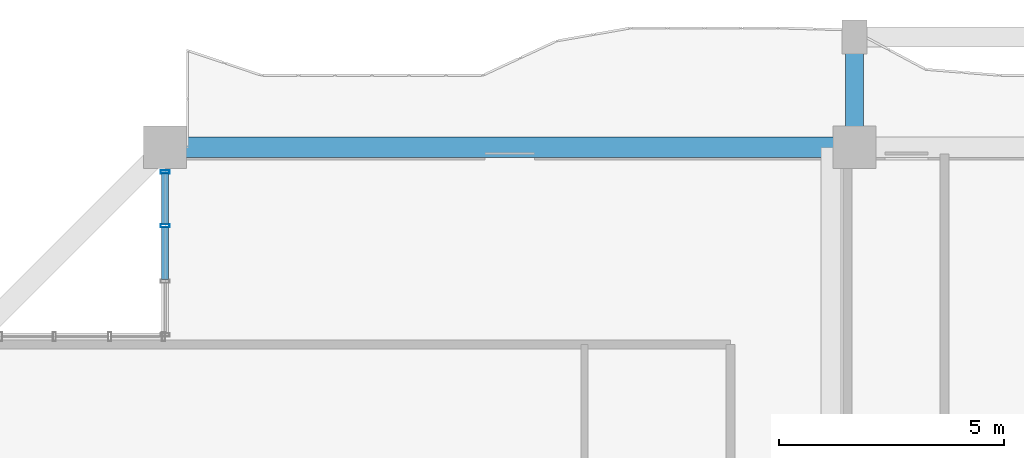
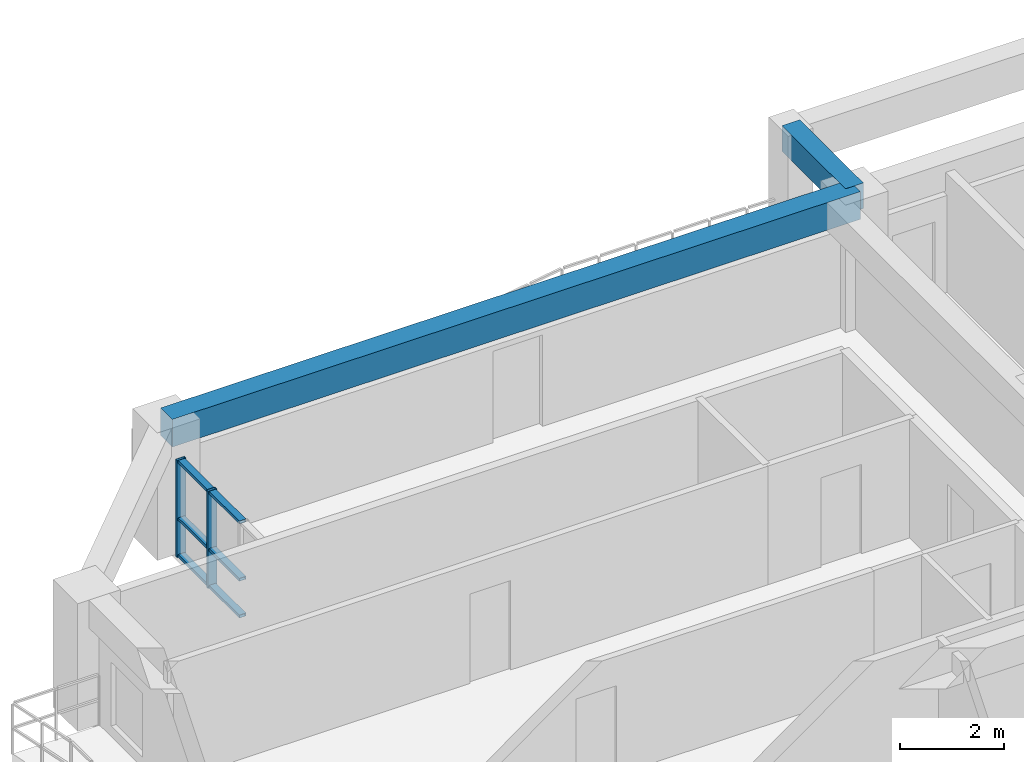
# One storey, part 8 of 24: 8 members, 2 beams, 1 element without a shape of its own.
"""IFC4 building model written with IfcOpenShell, lengths in metres."""

from ifc_helpers import new_model, si_unit, direction, frame, origin, origin_2d, place, context, subcontext, project, spatial, rectangle, hollow_rectangle, extrude, source, transform, mapped, material, layer, layer_set, material_profile, profile_set, type_object, element, aggregate, save


model = new_model("IFC4")

# Units and contexts
model_context = context("Model", 3, precision=1e-05, world=origin(), true_north=direction((0.0, 1.0)))
body_context = subcontext(model_context, "Body", "Model", "MODEL_VIEW")
ifc_project = project(units=[si_unit("LENGTHUNIT", "METRE"), si_unit("AREAUNIT", "SQUARE_METRE"), si_unit("VOLUMEUNIT", "CUBIC_METRE"), si_unit("PLANEANGLEUNIT", "RADIAN"), si_unit("MASSUNIT", "GRAM", prefix="KILO")], contexts=[model_context])

# Site, building, storey
site_placement = place(None, origin())
site = spatial("IfcSite", under=ifc_project, at=site_placement, CompositionType="ELEMENT")
building_placement = place(site_placement, origin())
building = spatial("IfcBuilding", under=site, at=building_placement, Name="Saelheon Loggia Tower", CompositionType="ELEMENT")
storey_placement = place(building_placement, frame((0.0, 0.0, 126.75)))
storey = spatial("IfcBuildingStorey", under=building, at=storey_placement, Name="L40", CompositionType="ELEMENT", Elevation=126.75)

# Beams
ifc_material_1 = material(Name="Precast Concrete C45/55", Category="concrete")
ifc_material_profile_1 = material_profile(ifc_material_1, rectangle(XDim=0.39990234375, YDim=0.60009765625, at=origin_2d()), Name="RC-400x600")
ifc_profile_set_1 = profile_set([ifc_material_profile_1], Name="Precast Concrete C45/55")
beam_type_1 = type_object("IfcBeamType", Name="Beam_LoggiaTie_RC400x600", PredefinedType="BEAM", material=ifc_profile_set_1)
shared_shape_1 = source(origin(), body_context, "Body", "SweptSolid", [
    extrude(rectangle(XDim=0.39990234375, YDim=0.60009765625, at=origin_2d()), origin(), (0.0, 0.0, 1.0), 2.449951171875),
])
beam_1_placement = place(storey_placement, frame((31.5, 51.0, 2.699951171875), z_axis=(0.0, 1.0, 0.0), x_axis=(-1.0, 0.0, 0.0)))
element("IfcBeam", 1, at=beam_1_placement, inside=storey, type_object=beam_type_1, Name="L40 Loggia Frame Tie Beam LP-N1", PredefinedType="BEAM", context=body_context, shape_type="MappedRepresentation", body=[
    mapped(shared_shape_1, transform((0.0, 0.0, 0.0), scale=1.0)),
])
ifc_material_2 = material(Name="Concrete C40/50", Category="concrete")
ifc_material_profile_2 = material_profile(ifc_material_2, rectangle(XDim=0.449951171875, YDim=0.64990234375, at=origin_2d()), Name="RC-450x650")
ifc_profile_set_2 = profile_set([ifc_material_profile_2], Name="Concrete C40/50")
beam_type_2 = type_object("IfcBeamType", Name="Beam_PerimTower_RC450x650", PredefinedType="BEAM", material=ifc_profile_set_2)
shared_shape_2 = source(origin(), body_context, "Body", "SweptSolid", [
    extrude(rectangle(XDim=0.449951171875, YDim=0.64990234375, at=origin_2d()), origin(), (0.0, 0.0, 1.0), 15.300048828125),
])
beam_2_placement = place(storey_placement, frame((31.5, 51.0, 2.675048828125), z_axis=(-1.0, 0.0, 0.0), x_axis=(0.0, -1.0, 0.0)))
element("IfcBeam", 2, at=beam_2_placement, inside=storey, type_object=beam_type_2, Name="L40 Perimeter Frame Girder 11", PredefinedType="BEAM", context=body_context, shape_type="MappedRepresentation", body=[
    mapped(shared_shape_2, transform((0.0, 0.0, 0.0), scale=1.0)),
])

# Curtain wall, members
ifc_material_3 = material(Name="High-Wind Aluminium and Triple Laminated Glass", Category="aluminium")
ifc_layer = layer(ifc_material_3, 0.179931640625)
ifc_layer_set = layer_set([ifc_layer], Name="High-Wind Aluminium and Triple Laminated Glass")
curtain_wall_type = type_object("IfcCurtainWallType", Name="CW_TowerLoggiaHigh", PredefinedType="NOTDEFINED", material=ifc_layer_set)
curtain_wall_placement = place(storey_placement, origin())
curtain_wall = element("IfcCurtainWall", 3, at=curtain_wall_placement, inside=storey, type_object=curtain_wall_type, Name="L40 Corner Notch Glazing NW1", PredefinedType="NOTDEFINED")
ifc_material_4 = material(Name="Anodised Aluminium 6063-T6", Category="aluminium")
ifc_material_profile_3 = material_profile(ifc_material_4, hollow_rectangle(XDim=0.070068359375, YDim=0.199951171875, WallThickness=0.0048828125, at=origin_2d()), Name="RHS-200x70x5")
ifc_profile_set_3 = profile_set([ifc_material_profile_3], Name="Anodised Aluminium 6063-T6")
member_type_1 = type_object("IfcMemberType", Name="CW_TowerLoggiaHigh_Mullion", PredefinedType="MULLION", material=ifc_profile_set_3)
shared_shape_3 = source(origin(), body_context, "Body", "SweptSolid", [
    extrude(hollow_rectangle(XDim=0.070068359375, YDim=0.199951171875, WallThickness=0.0048828125, at=origin_2d()), origin(), (0.0, 0.0, 1.0), 2.280029296875),
])
member_1_placement = place(storey_placement, frame((16.199951171875, 49.256591796875, 0.0), z_axis=(0.0, 0.0, 1.0), x_axis=(0.0, 1.0, 0.0)))
member_1 = element("IfcMember", 4, at=member_1_placement, type_object=member_type_1, Name="CW4 mullion 3", PredefinedType="MULLION", context=body_context, shape_type="MappedRepresentation", body=[
    mapped(shared_shape_3, transform((0.0, 0.0, 0.0), scale=1.0)),
])
member_2_placement = place(storey_placement, frame((16.199951171875, 50.449951171875, 0.0), z_axis=(0.0, 0.0, 1.0), x_axis=(0.0, 1.0, 0.0)))
member_2 = element("IfcMember", 5, at=member_2_placement, type_object=member_type_1, Name="CW4 mullion 4", PredefinedType="MULLION", context=body_context, shape_type="MappedRepresentation", body=[
    mapped(shared_shape_3, transform((0.0, 0.0, 0.0), scale=1.0)),
])
ifc_material_profile_4 = material_profile(ifc_material_4, hollow_rectangle(XDim=0.070068359375, YDim=0.14990234375, WallThickness=0.0048828125, at=origin_2d()), Name="RHS-150x70x5")
ifc_profile_set_4 = profile_set([ifc_material_profile_4], Name="Anodised Aluminium 6063-T6")
member_type_2 = type_object("IfcMemberType", Name="CW_TowerLoggiaHigh_Transom", PredefinedType="USERDEFINED", material=ifc_profile_set_4)
shared_shape_4 = source(origin(), body_context, "Body", "SweptSolid", [
    extrude(hollow_rectangle(XDim=0.070068359375, YDim=0.14990234375, WallThickness=0.0048828125, at=origin_2d()), origin(), (0.0, 0.0, 1.0), 1.123291015625),
])
member_3_placement = place(storey_placement, frame((16.199951171875, 49.291748046875, 0.034912109375), z_axis=(0.0, 1.0, 0.0), x_axis=(0.0, 0.0, 1.0)))
member_3 = element("IfcMember", 6, at=member_3_placement, type_object=member_type_2, Name="CW4 transom 3.1", ObjectType="TRANSOM", PredefinedType="USERDEFINED", context=body_context, shape_type="MappedRepresentation", body=[
    mapped(shared_shape_4, transform((0.0, 0.0, 0.0), scale=1.0)),
])
member_4_placement = place(storey_placement, frame((16.199951171875, 49.291748046875, 0.89990234375), z_axis=(0.0, 1.0, 0.0), x_axis=(0.0, 0.0, 1.0)))
member_4 = element("IfcMember", 7, at=member_4_placement, type_object=member_type_2, Name="CW4 transom 3.2", ObjectType="TRANSOM", PredefinedType="USERDEFINED", context=body_context, shape_type="MappedRepresentation", body=[
    mapped(shared_shape_4, transform((0.0, 0.0, 0.0), scale=1.0)),
])
member_5_placement = place(storey_placement, frame((16.199951171875, 49.291748046875, 2.2451171875), z_axis=(0.0, 1.0, 0.0), x_axis=(0.0, 0.0, 1.0)))
member_5 = element("IfcMember", 8, at=member_5_placement, type_object=member_type_2, Name="CW4 transom 3.3", ObjectType="TRANSOM", PredefinedType="USERDEFINED", context=body_context, shape_type="MappedRepresentation", body=[
    mapped(shared_shape_4, transform((0.0, 0.0, 0.0), scale=1.0)),
])
shared_shape_5 = source(origin(), body_context, "Body", "SweptSolid", [
    extrude(hollow_rectangle(XDim=0.070068359375, YDim=0.14990234375, WallThickness=0.0048828125, at=origin_2d()), origin(), (0.0, 0.0, 1.0), 1.158447265625),
])
member_6_placement = place(storey_placement, frame((16.199951171875, 48.063232421875, 0.034912109375), z_axis=(0.0, 1.0, 0.0), x_axis=(0.0, 0.0, 1.0)))
member_6 = element("IfcMember", 9, at=member_6_placement, type_object=member_type_2, Name="CW4 transom 2.1", ObjectType="TRANSOM", PredefinedType="USERDEFINED", context=body_context, shape_type="MappedRepresentation", body=[
    mapped(shared_shape_5, transform((0.0, 0.0, 0.0), scale=1.0)),
])
member_7_placement = place(storey_placement, frame((16.199951171875, 48.063232421875, 0.89990234375), z_axis=(0.0, 1.0, 0.0), x_axis=(0.0, 0.0, 1.0)))
member_7 = element("IfcMember", 10, at=member_7_placement, type_object=member_type_2, Name="CW4 transom 2.2", ObjectType="TRANSOM", PredefinedType="USERDEFINED", context=body_context, shape_type="MappedRepresentation", body=[
    mapped(shared_shape_5, transform((0.0, 0.0, 0.0), scale=1.0)),
])
member_8_placement = place(storey_placement, frame((16.199951171875, 48.063232421875, 2.2451171875), z_axis=(0.0, 1.0, 0.0), x_axis=(0.0, 0.0, 1.0)))
member_8 = element("IfcMember", 11, at=member_8_placement, type_object=member_type_2, Name="CW4 transom 2.3", ObjectType="TRANSOM", PredefinedType="USERDEFINED", context=body_context, shape_type="MappedRepresentation", body=[
    mapped(shared_shape_5, transform((0.0, 0.0, 0.0), scale=1.0)),
])
aggregate(curtain_wall, [member_1, member_2, member_6, member_7, member_8, member_3, member_4, member_5])

save(model, "model.ifc")
